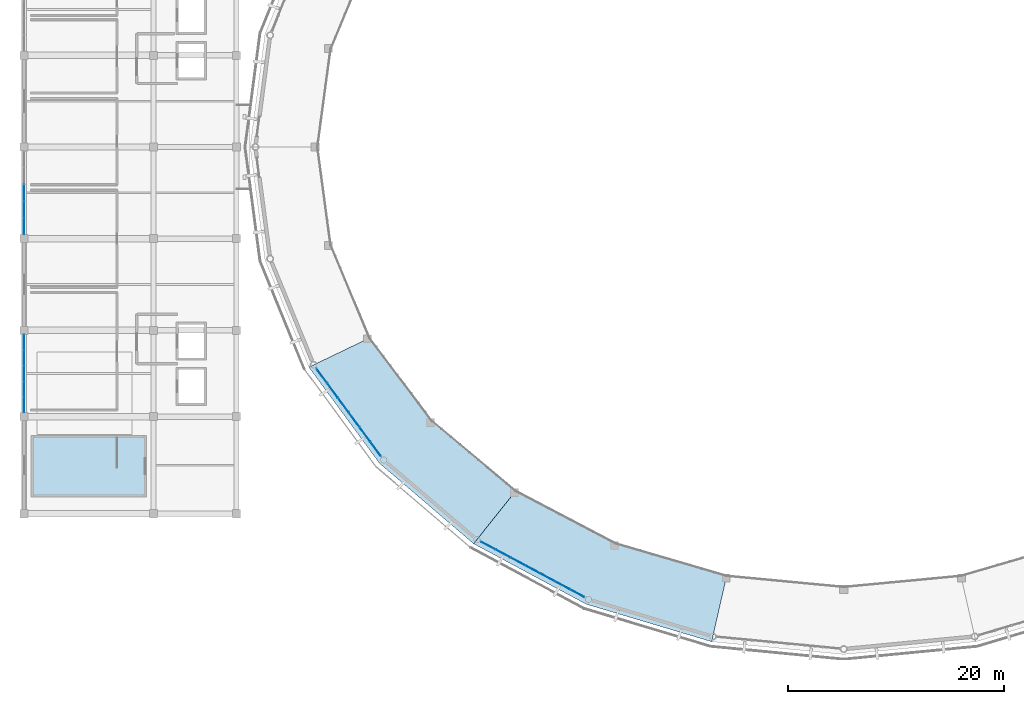
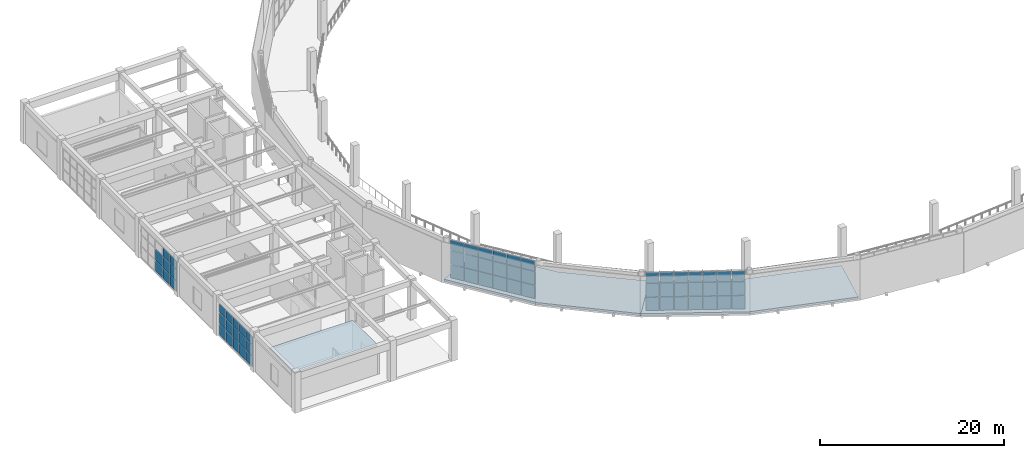
# One storey, part 24 of 40: 62 plates, 3 slabs, 4 elements without a shape of their own.
"""IFC4 building model written with IfcOpenShell, lengths in metres."""

from ifc_helpers import new_model, si_unit, direction, frame, origin, origin_2d, place, context, subcontext, project, spatial, polyline, rectangle, outline, extrude, material, layer, layer_set, type_object, element, aggregate, save


model = new_model("IFC4")

# Units and contexts
model_context = context("Model", 3, precision=1e-05, world=origin(), true_north=direction((0.0, 1.0)))
body_context = subcontext(model_context, "Body", "Model", "MODEL_VIEW")
ifc_project = project(units=[si_unit("LENGTHUNIT", "METRE"), si_unit("AREAUNIT", "SQUARE_METRE"), si_unit("VOLUMEUNIT", "CUBIC_METRE"), si_unit("PLANEANGLEUNIT", "RADIAN"), si_unit("MASSUNIT", "GRAM", prefix="KILO")], contexts=[model_context])

# Site, building, storey
site_placement = place(None, origin())
site = spatial("IfcSite", under=ifc_project, at=site_placement, CompositionType="ELEMENT")
building_placement = place(site_placement, origin())
building = spatial("IfcBuilding", under=site, at=building_placement, Name="Cuetzalor Civic Arena", CompositionType="ELEMENT")
storey_placement = place(building_placement, frame((0.0, 0.0, 26.39990234375)))
storey = spatial("IfcBuildingStorey", under=building, at=storey_placement, Name="L05", CompositionType="ELEMENT", Elevation=26.39990234375)

# Curtain wall, plates
ifc_material_1 = material(Name="Anodised dark bronze aluminium and low-E solar glass", Category="aluminium")
curtain_wall_type_1 = type_object("IfcCurtainWallType", Name="UnitisedCW_10150x5150", PredefinedType="USERDEFINED", material=ifc_material_1)
curtain_wall_1_placement = place(storey_placement, origin())
curtain_wall_1 = element("IfcCurtainWall", 1, at=curtain_wall_1_placement, inside=storey, type_object=curtain_wall_type_1, Name="Drum Triangle Foyer Curtain Wall L05-075", ObjectType="UNITISED CURTAIN WALL", PredefinedType="USERDEFINED")
ifc_material_2 = material(Name="Acoustic laminated solar control glass", Category="glass")
ifc_layer_1 = layer(ifc_material_2, 0.0439453125)
ifc_layer_set_1 = layer_set([ifc_layer_1], Name="Acoustic laminated solar control glass")
plate_type = type_object("IfcPlateType", Name="AcousticTripleGlazedPanel_44", PredefinedType="CURTAIN_PANEL", material=ifc_layer_set_1)
plate_1_placement = place(storey_placement, frame((-43.402587890625, -27.999755859375, 0.0703125), z_axis=(0.0, 0.0, 1.0), x_axis=(-0.59292931222, 0.805254513002, 0.0)))
plate_1 = element("IfcPlate", 2, at=plate_1_placement, type_object=plate_type, Name="CW-18 panel 1.1", PredefinedType="CURTAIN_PANEL", context=body_context, shape_type="SweptSolid", body=[
    extrude(rectangle(XDim=1.585693359375, YDim=0.0439453125, at=origin_2d()), origin(), (0.0, 0.0, 1.0), 1.743896484375),
])
plate_2_placement = place(storey_placement, frame((-43.402587890625, -27.999755859375, 1.88427734375), z_axis=(0.0, 0.0, 1.0), x_axis=(-0.59292931222, 0.805254513002, 0.0)))
plate_2 = element("IfcPlate", 3, at=plate_2_placement, type_object=plate_type, Name="CW-18 panel 1.2", PredefinedType="CURTAIN_PANEL", context=body_context, shape_type="SweptSolid", body=[
    extrude(rectangle(XDim=1.585693359375, YDim=0.0439453125, at=origin_2d()), origin(), (0.0, 0.0, 1.0), 1.779052734375),
])
plate_3_placement = place(storey_placement, frame((-43.402587890625, -27.999755859375, 3.733154296875), z_axis=(0.0, 0.0, 1.0), x_axis=(-0.59292931222, 0.805254513002, 0.0)))
plate_3 = element("IfcPlate", 4, at=plate_3_placement, type_object=plate_type, Name="CW-18 panel 1.3", PredefinedType="CURTAIN_PANEL", context=body_context, shape_type="SweptSolid", body=[
    extrude(rectangle(XDim=1.585693359375, YDim=0.0439453125, at=origin_2d()), origin(), (0.0, 0.0, 1.0), 1.3330078125),
])
plate_4_placement = place(storey_placement, frame((-44.394775390625, -26.652587890625, 0.0703125), z_axis=(0.0, 0.0, 1.0), x_axis=(-0.59292931222, 0.805254513002, 0.0)))
plate_4 = element("IfcPlate", 5, at=plate_4_placement, type_object=plate_type, Name="CW-18 panel 2.1", PredefinedType="CURTAIN_PANEL", context=body_context, shape_type="SweptSolid", body=[
    extrude(rectangle(XDim=1.62060546875, YDim=0.0439453125, at=origin_2d()), origin(), (0.0, 0.0, 1.0), 1.743896484375),
])
plate_5_placement = place(storey_placement, frame((-44.394775390625, -26.652587890625, 1.88427734375), z_axis=(0.0, 0.0, 1.0), x_axis=(-0.59292931222, 0.805254513002, 0.0)))
plate_5 = element("IfcPlate", 6, at=plate_5_placement, type_object=plate_type, Name="CW-18 panel 2.2", PredefinedType="CURTAIN_PANEL", context=body_context, shape_type="SweptSolid", body=[
    extrude(rectangle(XDim=1.62060546875, YDim=0.0439453125, at=origin_2d()), origin(), (0.0, 0.0, 1.0), 1.779052734375),
])
plate_6_placement = place(storey_placement, frame((-44.394775390625, -26.652587890625, 3.733154296875), z_axis=(0.0, 0.0, 1.0), x_axis=(-0.59292931222, 0.805254513002, 0.0)))
plate_6 = element("IfcPlate", 7, at=plate_6_placement, type_object=plate_type, Name="CW-18 panel 2.3", PredefinedType="CURTAIN_PANEL", context=body_context, shape_type="SweptSolid", body=[
    extrude(rectangle(XDim=1.62060546875, YDim=0.0439453125, at=origin_2d()), origin(), (0.0, 0.0, 1.0), 1.3330078125),
])
plate_7_placement = place(storey_placement, frame((-45.397216796875, -25.291015625, 0.0703125), z_axis=(0.0, 0.0, 1.0), x_axis=(-0.59292931222, 0.805254513002, 0.0)))
plate_7 = element("IfcPlate", 8, at=plate_7_placement, type_object=plate_type, Name="CW-18 panel 3.1", PredefinedType="CURTAIN_PANEL", context=body_context, shape_type="SweptSolid", body=[
    extrude(rectangle(XDim=1.62060546875, YDim=0.0439453125, at=origin_2d()), origin(), (0.0, 0.0, 1.0), 1.743896484375),
])
plate_8_placement = place(storey_placement, frame((-45.397216796875, -25.291015625, 1.88427734375), z_axis=(0.0, 0.0, 1.0), x_axis=(-0.59292931222, 0.805254513002, 0.0)))
plate_8 = element("IfcPlate", 9, at=plate_8_placement, type_object=plate_type, Name="CW-18 panel 3.2", PredefinedType="CURTAIN_PANEL", context=body_context, shape_type="SweptSolid", body=[
    extrude(rectangle(XDim=1.62060546875, YDim=0.0439453125, at=origin_2d()), origin(), (0.0, 0.0, 1.0), 1.779052734375),
])
plate_9_placement = place(storey_placement, frame((-45.397216796875, -25.291015625, 3.733154296875), z_axis=(0.0, 0.0, 1.0), x_axis=(-0.59292931222, 0.805254513002, 0.0)))
plate_9 = element("IfcPlate", 10, at=plate_9_placement, type_object=plate_type, Name="CW-18 panel 3.3", PredefinedType="CURTAIN_PANEL", context=body_context, shape_type="SweptSolid", body=[
    extrude(rectangle(XDim=1.62060546875, YDim=0.0439453125, at=origin_2d()), origin(), (0.0, 0.0, 1.0), 1.3330078125),
])
plate_10_placement = place(storey_placement, frame((-46.399658203125, -23.9296875, 0.0703125), z_axis=(0.0, 0.0, 1.0), x_axis=(-0.59292931222, 0.805254513002, 0.0)))
plate_10 = element("IfcPlate", 11, at=plate_10_placement, type_object=plate_type, Name="CW-18 panel 4.1", PredefinedType="CURTAIN_PANEL", context=body_context, shape_type="SweptSolid", body=[
    extrude(rectangle(XDim=1.62060546875, YDim=0.0439453125, at=origin_2d()), origin(), (0.0, 0.0, 1.0), 1.743896484375),
])
plate_11_placement = place(storey_placement, frame((-46.399658203125, -23.9296875, 1.88427734375), z_axis=(0.0, 0.0, 1.0), x_axis=(-0.59292931222, 0.805254513002, 0.0)))
plate_11 = element("IfcPlate", 12, at=plate_11_placement, type_object=plate_type, Name="CW-18 panel 4.2", PredefinedType="CURTAIN_PANEL", context=body_context, shape_type="SweptSolid", body=[
    extrude(rectangle(XDim=1.62060546875, YDim=0.0439453125, at=origin_2d()), origin(), (0.0, 0.0, 1.0), 1.779052734375),
])
plate_12_placement = place(storey_placement, frame((-46.399658203125, -23.9296875, 3.733154296875), z_axis=(0.0, 0.0, 1.0), x_axis=(-0.59292931222, 0.805254513002, 0.0)))
plate_12 = element("IfcPlate", 13, at=plate_12_placement, type_object=plate_type, Name="CW-18 panel 4.3", PredefinedType="CURTAIN_PANEL", context=body_context, shape_type="SweptSolid", body=[
    extrude(rectangle(XDim=1.62060546875, YDim=0.0439453125, at=origin_2d()), origin(), (0.0, 0.0, 1.0), 1.3330078125),
])
plate_13_placement = place(storey_placement, frame((-47.402099609375, -22.568359375, 0.0703125), z_axis=(0.0, 0.0, 1.0), x_axis=(-0.59292931222, 0.805254513002, 0.0)))
plate_13 = element("IfcPlate", 14, at=plate_13_placement, type_object=plate_type, Name="CW-18 panel 5.1", PredefinedType="CURTAIN_PANEL", context=body_context, shape_type="SweptSolid", body=[
    extrude(rectangle(XDim=1.62060546875, YDim=0.0439453125, at=origin_2d()), origin(), (0.0, 0.0, 1.0), 1.743896484375),
])
plate_14_placement = place(storey_placement, frame((-47.402099609375, -22.568359375, 1.88427734375), z_axis=(0.0, 0.0, 1.0), x_axis=(-0.59292931222, 0.805254513002, 0.0)))
plate_14 = element("IfcPlate", 15, at=plate_14_placement, type_object=plate_type, Name="CW-18 panel 5.2", PredefinedType="CURTAIN_PANEL", context=body_context, shape_type="SweptSolid", body=[
    extrude(rectangle(XDim=1.62060546875, YDim=0.0439453125, at=origin_2d()), origin(), (0.0, 0.0, 1.0), 1.779052734375),
])
plate_15_placement = place(storey_placement, frame((-47.402099609375, -22.568359375, 3.733154296875), z_axis=(0.0, 0.0, 1.0), x_axis=(-0.59292931222, 0.805254513002, 0.0)))
plate_15 = element("IfcPlate", 16, at=plate_15_placement, type_object=plate_type, Name="CW-18 panel 5.3", PredefinedType="CURTAIN_PANEL", context=body_context, shape_type="SweptSolid", body=[
    extrude(rectangle(XDim=1.62060546875, YDim=0.0439453125, at=origin_2d()), origin(), (0.0, 0.0, 1.0), 1.3330078125),
])
plate_16_placement = place(storey_placement, frame((-48.39404296875, -21.220947265625, 0.0703125), z_axis=(0.0, 0.0, 1.0), x_axis=(-0.59292931222, 0.805254513002, 0.0)))
plate_16 = element("IfcPlate", 17, at=plate_16_placement, type_object=plate_type, Name="CW-18 panel 6.1", PredefinedType="CURTAIN_PANEL", context=body_context, shape_type="SweptSolid", body=[
    extrude(rectangle(XDim=1.585693359375, YDim=0.0439453125, at=origin_2d()), origin(), (0.0, 0.0, 1.0), 1.743896484375),
])
plate_17_placement = place(storey_placement, frame((-48.39404296875, -21.220947265625, 1.88427734375), z_axis=(0.0, 0.0, 1.0), x_axis=(-0.59292931222, 0.805254513002, 0.0)))
plate_17 = element("IfcPlate", 18, at=plate_17_placement, type_object=plate_type, Name="CW-18 panel 6.2", PredefinedType="CURTAIN_PANEL", context=body_context, shape_type="SweptSolid", body=[
    extrude(rectangle(XDim=1.585693359375, YDim=0.0439453125, at=origin_2d()), origin(), (0.0, 0.0, 1.0), 1.779052734375),
])
plate_18_placement = place(storey_placement, frame((-48.39404296875, -21.220947265625, 3.733154296875), z_axis=(0.0, 0.0, 1.0), x_axis=(-0.59292931222, 0.805254513002, 0.0)))
plate_18 = element("IfcPlate", 19, at=plate_18_placement, type_object=plate_type, Name="CW-18 panel 6.3", PredefinedType="CURTAIN_PANEL", context=body_context, shape_type="SweptSolid", body=[
    extrude(rectangle(XDim=1.585693359375, YDim=0.0439453125, at=origin_2d()), origin(), (0.0, 0.0, 1.0), 1.3330078125),
])
aggregate(curtain_wall_1, [plate_1, plate_2, plate_3, plate_4, plate_5, plate_6, plate_7, plate_8, plate_9, plate_10, plate_11, plate_12, plate_13, plate_14, plate_15, plate_16, plate_17, plate_18])

ifc_material_3 = material(Name="Anodised dark bronze aluminium and low-E solar glass", Category="aluminium")
curtain_wall_type_2 = type_object("IfcCurtainWallType", Name="UnitisedCW_10950x5150", PredefinedType="USERDEFINED", material=ifc_material_3)
curtain_wall_2_placement = place(storey_placement, origin())
curtain_wall_2 = element("IfcCurtainWall", 20, at=curtain_wall_2_placement, inside=storey, type_object=curtain_wall_type_2, Name="Drum Triangle Foyer Curtain Wall L05-076", ObjectType="UNITISED CURTAIN WALL", PredefinedType="USERDEFINED")
plate_19_placement = place(storey_placement, frame((-24.720947265625, -41.375732421875, 0.0703125), z_axis=(0.0, 0.0, 1.0), x_axis=(-0.881306344124, 0.472545371163, 0.0)))
plate_19 = element("IfcPlate", 21, at=plate_19_placement, type_object=plate_type, Name="CW-19 panel 1.1", PredefinedType="CURTAIN_PANEL", context=body_context, shape_type="SweptSolid", body=[
    extrude(rectangle(XDim=1.458740234375, YDim=0.0439453125, at=origin_2d()), origin(), (0.0, 0.0, 1.0), 1.743896484375),
])
plate_20_placement = place(storey_placement, frame((-24.720947265625, -41.375732421875, 1.88427734375), z_axis=(0.0, 0.0, 1.0), x_axis=(-0.881306344124, 0.472545371163, 0.0)))
plate_20 = element("IfcPlate", 22, at=plate_20_placement, type_object=plate_type, Name="CW-19 panel 1.2", PredefinedType="CURTAIN_PANEL", context=body_context, shape_type="SweptSolid", body=[
    extrude(rectangle(XDim=1.458740234375, YDim=0.0439453125, at=origin_2d()), origin(), (0.0, 0.0, 1.0), 1.779052734375),
])
plate_21_placement = place(storey_placement, frame((-24.720947265625, -41.375732421875, 3.733154296875), z_axis=(0.0, 0.0, 1.0), x_axis=(-0.881306344124, 0.472545371163, 0.0)))
plate_21 = element("IfcPlate", 23, at=plate_21_placement, type_object=plate_type, Name="CW-19 panel 1.3", PredefinedType="CURTAIN_PANEL", context=body_context, shape_type="SweptSolid", body=[
    extrude(rectangle(XDim=1.458740234375, YDim=0.0439453125, at=origin_2d()), origin(), (0.0, 0.0, 1.0), 1.3330078125),
])
plate_22_placement = place(storey_placement, frame((-26.08349609375, -40.64501953125, 0.0703125), z_axis=(0.0, 0.0, 1.0), x_axis=(-0.881306344124, 0.472545371163, 0.0)))
plate_22 = element("IfcPlate", 24, at=plate_22_placement, type_object=plate_type, Name="CW-19 panel 2.1", PredefinedType="CURTAIN_PANEL", context=body_context, shape_type="SweptSolid", body=[
    extrude(rectangle(XDim=1.49365234375, YDim=0.0439453125, at=origin_2d()), origin(), (0.0, 0.0, 1.0), 1.743896484375),
])
plate_23_placement = place(storey_placement, frame((-26.08349609375, -40.64501953125, 1.88427734375), z_axis=(0.0, 0.0, 1.0), x_axis=(-0.881306344124, 0.472545371163, 0.0)))
plate_23 = element("IfcPlate", 25, at=plate_23_placement, type_object=plate_type, Name="CW-19 panel 2.2", PredefinedType="CURTAIN_PANEL", context=body_context, shape_type="SweptSolid", body=[
    extrude(rectangle(XDim=1.49365234375, YDim=0.0439453125, at=origin_2d()), origin(), (0.0, 0.0, 1.0), 1.779052734375),
])
plate_24_placement = place(storey_placement, frame((-26.08349609375, -40.64501953125, 3.733154296875), z_axis=(0.0, 0.0, 1.0), x_axis=(-0.881306344124, 0.472545371163, 0.0)))
plate_24 = element("IfcPlate", 26, at=plate_24_placement, type_object=plate_type, Name="CW-19 panel 2.3", PredefinedType="CURTAIN_PANEL", context=body_context, shape_type="SweptSolid", body=[
    extrude(rectangle(XDim=1.49365234375, YDim=0.0439453125, at=origin_2d()), origin(), (0.0, 0.0, 1.0), 1.3330078125),
])
plate_25_placement = place(storey_placement, frame((-27.461669921875, -39.90625, 0.0703125), z_axis=(0.0, 0.0, 1.0), x_axis=(-0.881306344124, 0.472545371163, 0.0)))
plate_25 = element("IfcPlate", 27, at=plate_25_placement, type_object=plate_type, Name="CW-19 panel 3.1", PredefinedType="CURTAIN_PANEL", context=body_context, shape_type="SweptSolid", body=[
    extrude(rectangle(XDim=1.49365234375, YDim=0.0439453125, at=origin_2d()), origin(), (0.0, 0.0, 1.0), 1.743896484375),
])
plate_26_placement = place(storey_placement, frame((-27.461669921875, -39.90625, 1.88427734375), z_axis=(0.0, 0.0, 1.0), x_axis=(-0.881306344124, 0.472545371163, 0.0)))
plate_26 = element("IfcPlate", 28, at=plate_26_placement, type_object=plate_type, Name="CW-19 panel 3.2", PredefinedType="CURTAIN_PANEL", context=body_context, shape_type="SweptSolid", body=[
    extrude(rectangle(XDim=1.49365234375, YDim=0.0439453125, at=origin_2d()), origin(), (0.0, 0.0, 1.0), 1.779052734375),
])
plate_27_placement = place(storey_placement, frame((-27.461669921875, -39.90625, 3.733154296875), z_axis=(0.0, 0.0, 1.0), x_axis=(-0.881306344124, 0.472545371163, 0.0)))
plate_27 = element("IfcPlate", 29, at=plate_27_placement, type_object=plate_type, Name="CW-19 panel 3.3", PredefinedType="CURTAIN_PANEL", context=body_context, shape_type="SweptSolid", body=[
    extrude(rectangle(XDim=1.49365234375, YDim=0.0439453125, at=origin_2d()), origin(), (0.0, 0.0, 1.0), 1.3330078125),
])
plate_28_placement = place(storey_placement, frame((-28.83984375, -39.167236328125, 0.0703125), z_axis=(0.0, 0.0, 1.0), x_axis=(-0.881306344124, 0.472545371163, 0.0)))
plate_28 = element("IfcPlate", 30, at=plate_28_placement, type_object=plate_type, Name="CW-19 panel 4.1", PredefinedType="CURTAIN_PANEL", context=body_context, shape_type="SweptSolid", body=[
    extrude(rectangle(XDim=1.49365234375, YDim=0.0439453125, at=origin_2d()), origin(), (0.0, 0.0, 1.0), 1.743896484375),
])
plate_29_placement = place(storey_placement, frame((-28.83984375, -39.167236328125, 1.88427734375), z_axis=(0.0, 0.0, 1.0), x_axis=(-0.881306344124, 0.472545371163, 0.0)))
plate_29 = element("IfcPlate", 31, at=plate_29_placement, type_object=plate_type, Name="CW-19 panel 4.2", PredefinedType="CURTAIN_PANEL", context=body_context, shape_type="SweptSolid", body=[
    extrude(rectangle(XDim=1.49365234375, YDim=0.0439453125, at=origin_2d()), origin(), (0.0, 0.0, 1.0), 1.779052734375),
])
plate_30_placement = place(storey_placement, frame((-28.83984375, -39.167236328125, 3.733154296875), z_axis=(0.0, 0.0, 1.0), x_axis=(-0.881306344124, 0.472545371163, 0.0)))
plate_30 = element("IfcPlate", 32, at=plate_30_placement, type_object=plate_type, Name="CW-19 panel 4.3", PredefinedType="CURTAIN_PANEL", context=body_context, shape_type="SweptSolid", body=[
    extrude(rectangle(XDim=1.49365234375, YDim=0.0439453125, at=origin_2d()), origin(), (0.0, 0.0, 1.0), 1.3330078125),
])
plate_31_placement = place(storey_placement, frame((-30.218017578125, -38.42822265625, 0.0703125), z_axis=(0.0, 0.0, 1.0), x_axis=(-0.881306344124, 0.472545371163, 0.0)))
plate_31 = element("IfcPlate", 33, at=plate_31_placement, type_object=plate_type, Name="CW-19 panel 5.1", PredefinedType="CURTAIN_PANEL", context=body_context, shape_type="SweptSolid", body=[
    extrude(rectangle(XDim=1.49365234375, YDim=0.0439453125, at=origin_2d()), origin(), (0.0, 0.0, 1.0), 1.743896484375),
])
plate_32_placement = place(storey_placement, frame((-30.218017578125, -38.42822265625, 1.88427734375), z_axis=(0.0, 0.0, 1.0), x_axis=(-0.881306344124, 0.472545371163, 0.0)))
plate_32 = element("IfcPlate", 34, at=plate_32_placement, type_object=plate_type, Name="CW-19 panel 5.2", PredefinedType="CURTAIN_PANEL", context=body_context, shape_type="SweptSolid", body=[
    extrude(rectangle(XDim=1.49365234375, YDim=0.0439453125, at=origin_2d()), origin(), (0.0, 0.0, 1.0), 1.779052734375),
])
plate_33_placement = place(storey_placement, frame((-30.218017578125, -38.42822265625, 3.733154296875), z_axis=(0.0, 0.0, 1.0), x_axis=(-0.881306344124, 0.472545371163, 0.0)))
plate_33 = element("IfcPlate", 35, at=plate_33_placement, type_object=plate_type, Name="CW-19 panel 5.3", PredefinedType="CURTAIN_PANEL", context=body_context, shape_type="SweptSolid", body=[
    extrude(rectangle(XDim=1.49365234375, YDim=0.0439453125, at=origin_2d()), origin(), (0.0, 0.0, 1.0), 1.3330078125),
])
plate_34_placement = place(storey_placement, frame((-31.59619140625, -37.689208984375, 0.0703125), z_axis=(0.0, 0.0, 1.0), x_axis=(-0.881306344124, 0.472545371163, 0.0)))
plate_34 = element("IfcPlate", 36, at=plate_34_placement, type_object=plate_type, Name="CW-19 panel 6.1", PredefinedType="CURTAIN_PANEL", context=body_context, shape_type="SweptSolid", body=[
    extrude(rectangle(XDim=1.49365234375, YDim=0.0439453125, at=origin_2d()), origin(), (0.0, 0.0, 1.0), 1.743896484375),
])
plate_35_placement = place(storey_placement, frame((-31.59619140625, -37.689208984375, 1.88427734375), z_axis=(0.0, 0.0, 1.0), x_axis=(-0.881306344124, 0.472545371163, 0.0)))
plate_35 = element("IfcPlate", 37, at=plate_35_placement, type_object=plate_type, Name="CW-19 panel 6.2", PredefinedType="CURTAIN_PANEL", context=body_context, shape_type="SweptSolid", body=[
    extrude(rectangle(XDim=1.49365234375, YDim=0.0439453125, at=origin_2d()), origin(), (0.0, 0.0, 1.0), 1.779052734375),
])
plate_36_placement = place(storey_placement, frame((-31.59619140625, -37.689208984375, 3.733154296875), z_axis=(0.0, 0.0, 1.0), x_axis=(-0.881306344124, 0.472545371163, 0.0)))
plate_36 = element("IfcPlate", 38, at=plate_36_placement, type_object=plate_type, Name="CW-19 panel 6.3", PredefinedType="CURTAIN_PANEL", context=body_context, shape_type="SweptSolid", body=[
    extrude(rectangle(XDim=1.49365234375, YDim=0.0439453125, at=origin_2d()), origin(), (0.0, 0.0, 1.0), 1.3330078125),
])
plate_37_placement = place(storey_placement, frame((-32.958984375, -36.958740234375, 0.0703125), z_axis=(0.0, 0.0, 1.0), x_axis=(-0.881306344124, 0.472545371163, 0.0)))
plate_37 = element("IfcPlate", 39, at=plate_37_placement, type_object=plate_type, Name="CW-19 panel 7.1", PredefinedType="CURTAIN_PANEL", context=body_context, shape_type="SweptSolid", body=[
    extrude(rectangle(XDim=1.458740234375, YDim=0.0439453125, at=origin_2d()), origin(), (0.0, 0.0, 1.0), 1.743896484375),
])
plate_38_placement = place(storey_placement, frame((-32.958984375, -36.958740234375, 1.88427734375), z_axis=(0.0, 0.0, 1.0), x_axis=(-0.881306344124, 0.472545371163, 0.0)))
plate_38 = element("IfcPlate", 40, at=plate_38_placement, type_object=plate_type, Name="CW-19 panel 7.2", PredefinedType="CURTAIN_PANEL", context=body_context, shape_type="SweptSolid", body=[
    extrude(rectangle(XDim=1.458740234375, YDim=0.0439453125, at=origin_2d()), origin(), (0.0, 0.0, 1.0), 1.779052734375),
])
plate_39_placement = place(storey_placement, frame((-32.958984375, -36.958740234375, 3.733154296875), z_axis=(0.0, 0.0, 1.0), x_axis=(-0.881306344124, 0.472545371163, 0.0)))
plate_39 = element("IfcPlate", 41, at=plate_39_placement, type_object=plate_type, Name="CW-19 panel 7.3", PredefinedType="CURTAIN_PANEL", context=body_context, shape_type="SweptSolid", body=[
    extrude(rectangle(XDim=1.458740234375, YDim=0.0439453125, at=origin_2d()), origin(), (0.0, 0.0, 1.0), 1.3330078125),
])
aggregate(curtain_wall_2, [plate_19, plate_20, plate_21, plate_22, plate_23, plate_24, plate_25, plate_26, plate_27, plate_28, plate_29, plate_30, plate_31, plate_32, plate_33, plate_34, plate_35, plate_36, plate_37, plate_38, plate_39])

ifc_material_4 = material(Name="Anodised dark bronze aluminium and low-E solar glass", Category="aluminium")
curtain_wall_type_3 = type_object("IfcCurtainWallType", Name="UnitisedCW_7300x4200", PredefinedType="USERDEFINED", material=ifc_material_4)
curtain_wall_3_placement = place(storey_placement, origin())
curtain_wall_3 = element("IfcCurtainWall", 42, at=curtain_wall_3_placement, inside=storey, type_object=curtain_wall_type_3, Name="V4W Media Broadcast Curtain Wall L05-127", ObjectType="UNITISED CURTAIN WALL", PredefinedType="USERDEFINED")
plate_40_placement = place(storey_placement, frame((-76.0, -23.898193359375, 0.065185546875), z_axis=(0.0, 0.0, 1.0), x_axis=(0.0, 1.0, 0.0)))
plate_40 = element("IfcPlate", 43, at=plate_40_placement, type_object=plate_type, Name="CW-49 panel 1.1", PredefinedType="CURTAIN_PANEL", context=body_context, shape_type="SweptSolid", body=[
    extrude(rectangle(XDim=1.359619140625, YDim=0.0439453125, at=origin_2d()), origin(), (0.0, 0.0, 1.0), 1.42138671875),
])
plate_41_placement = place(storey_placement, frame((-76.0, -23.898193359375, 1.551513671875), z_axis=(0.0, 0.0, 1.0), x_axis=(0.0, 1.0, 0.0)))
plate_41 = element("IfcPlate", 44, at=plate_41_placement, type_object=plate_type, Name="CW-49 panel 1.2", PredefinedType="CURTAIN_PANEL", context=body_context, shape_type="SweptSolid", body=[
    extrude(rectangle(XDim=1.359619140625, YDim=0.0439453125, at=origin_2d()), origin(), (0.0, 0.0, 1.0), 1.4541015625),
])
plate_42_placement = place(storey_placement, frame((-76.0, -23.898193359375, 3.070556640625), z_axis=(0.0, 0.0, 1.0), x_axis=(0.0, 1.0, 0.0)))
plate_42 = element("IfcPlate", 45, at=plate_42_placement, type_object=plate_type, Name="CW-49 panel 1.3", PredefinedType="CURTAIN_PANEL", context=body_context, shape_type="SweptSolid", body=[
    extrude(rectangle(XDim=1.359619140625, YDim=0.0439453125, at=origin_2d()), origin(), (0.0, 0.0, 1.0), 1.08447265625),
])
plate_43_placement = place(storey_placement, frame((-76.0, -22.457275390625, 0.065185546875), z_axis=(0.0, 0.0, 1.0), x_axis=(0.0, 1.0, 0.0)))
plate_43 = element("IfcPlate", 46, at=plate_43_placement, type_object=plate_type, Name="CW-49 panel 2.1", PredefinedType="CURTAIN_PANEL", context=body_context, shape_type="SweptSolid", body=[
    extrude(rectangle(XDim=1.39208984375, YDim=0.0439453125, at=origin_2d()), origin(), (0.0, 0.0, 1.0), 1.42138671875),
])
plate_44_placement = place(storey_placement, frame((-76.0, -22.457275390625, 1.551513671875), z_axis=(0.0, 0.0, 1.0), x_axis=(0.0, 1.0, 0.0)))
plate_44 = element("IfcPlate", 47, at=plate_44_placement, type_object=plate_type, Name="CW-49 panel 2.2", PredefinedType="CURTAIN_PANEL", context=body_context, shape_type="SweptSolid", body=[
    extrude(rectangle(XDim=1.39208984375, YDim=0.0439453125, at=origin_2d()), origin(), (0.0, 0.0, 1.0), 1.4541015625),
])
plate_45_placement = place(storey_placement, frame((-76.0, -22.457275390625, 3.070556640625), z_axis=(0.0, 0.0, 1.0), x_axis=(0.0, 1.0, 0.0)))
plate_45 = element("IfcPlate", 48, at=plate_45_placement, type_object=plate_type, Name="CW-49 panel 2.3", PredefinedType="CURTAIN_PANEL", context=body_context, shape_type="SweptSolid", body=[
    extrude(rectangle(XDim=1.39208984375, YDim=0.0439453125, at=origin_2d()), origin(), (0.0, 0.0, 1.0), 1.08447265625),
])
plate_46_placement = place(storey_placement, frame((-76.0, -21.0, 0.065185546875), z_axis=(0.0, 0.0, 1.0), x_axis=(0.0, 1.0, 0.0)))
plate_46 = element("IfcPlate", 49, at=plate_46_placement, type_object=plate_type, Name="CW-49 panel 3.1", PredefinedType="CURTAIN_PANEL", context=body_context, shape_type="SweptSolid", body=[
    extrude(rectangle(XDim=1.39208984375, YDim=0.0439453125, at=origin_2d()), origin(), (0.0, 0.0, 1.0), 1.42138671875),
])
plate_47_placement = place(storey_placement, frame((-76.0, -21.0, 1.551513671875), z_axis=(0.0, 0.0, 1.0), x_axis=(0.0, 1.0, 0.0)))
plate_47 = element("IfcPlate", 50, at=plate_47_placement, type_object=plate_type, Name="CW-49 panel 3.2", PredefinedType="CURTAIN_PANEL", context=body_context, shape_type="SweptSolid", body=[
    extrude(rectangle(XDim=1.39208984375, YDim=0.0439453125, at=origin_2d()), origin(), (0.0, 0.0, 1.0), 1.4541015625),
])
plate_48_placement = place(storey_placement, frame((-76.0, -21.0, 3.070556640625), z_axis=(0.0, 0.0, 1.0), x_axis=(0.0, 1.0, 0.0)))
plate_48 = element("IfcPlate", 51, at=plate_48_placement, type_object=plate_type, Name="CW-49 panel 3.3", PredefinedType="CURTAIN_PANEL", context=body_context, shape_type="SweptSolid", body=[
    extrude(rectangle(XDim=1.39208984375, YDim=0.0439453125, at=origin_2d()), origin(), (0.0, 0.0, 1.0), 1.08447265625),
])
plate_49_placement = place(storey_placement, frame((-76.0, -19.542724609375, 0.065185546875), z_axis=(0.0, 0.0, 1.0), x_axis=(0.0, 1.0, 0.0)))
plate_49 = element("IfcPlate", 52, at=plate_49_placement, type_object=plate_type, Name="CW-49 panel 4.1", PredefinedType="CURTAIN_PANEL", context=body_context, shape_type="SweptSolid", body=[
    extrude(rectangle(XDim=1.39208984375, YDim=0.0439453125, at=origin_2d()), origin(), (0.0, 0.0, 1.0), 1.42138671875),
])
plate_50_placement = place(storey_placement, frame((-76.0, -19.542724609375, 1.551513671875), z_axis=(0.0, 0.0, 1.0), x_axis=(0.0, 1.0, 0.0)))
plate_50 = element("IfcPlate", 53, at=plate_50_placement, type_object=plate_type, Name="CW-49 panel 4.2", PredefinedType="CURTAIN_PANEL", context=body_context, shape_type="SweptSolid", body=[
    extrude(rectangle(XDim=1.39208984375, YDim=0.0439453125, at=origin_2d()), origin(), (0.0, 0.0, 1.0), 1.4541015625),
])
plate_51_placement = place(storey_placement, frame((-76.0, -19.542724609375, 3.070556640625), z_axis=(0.0, 0.0, 1.0), x_axis=(0.0, 1.0, 0.0)))
plate_51 = element("IfcPlate", 54, at=plate_51_placement, type_object=plate_type, Name="CW-49 panel 4.3", PredefinedType="CURTAIN_PANEL", context=body_context, shape_type="SweptSolid", body=[
    extrude(rectangle(XDim=1.39208984375, YDim=0.0439453125, at=origin_2d()), origin(), (0.0, 0.0, 1.0), 1.08447265625),
])
plate_52_placement = place(storey_placement, frame((-76.0, -18.101806640625, 0.065185546875), z_axis=(0.0, 0.0, 1.0), x_axis=(0.0, 1.0, 0.0)))
plate_52 = element("IfcPlate", 55, at=plate_52_placement, type_object=plate_type, Name="CW-49 panel 5.1", PredefinedType="CURTAIN_PANEL", context=body_context, shape_type="SweptSolid", body=[
    extrude(rectangle(XDim=1.359619140625, YDim=0.0439453125, at=origin_2d()), origin(), (0.0, 0.0, 1.0), 1.42138671875),
])
plate_53_placement = place(storey_placement, frame((-76.0, -18.101806640625, 1.551513671875), z_axis=(0.0, 0.0, 1.0), x_axis=(0.0, 1.0, 0.0)))
plate_53 = element("IfcPlate", 56, at=plate_53_placement, type_object=plate_type, Name="CW-49 panel 5.2", PredefinedType="CURTAIN_PANEL", context=body_context, shape_type="SweptSolid", body=[
    extrude(rectangle(XDim=1.359619140625, YDim=0.0439453125, at=origin_2d()), origin(), (0.0, 0.0, 1.0), 1.4541015625),
])
plate_54_placement = place(storey_placement, frame((-76.0, -18.101806640625, 3.070556640625), z_axis=(0.0, 0.0, 1.0), x_axis=(0.0, 1.0, 0.0)))
plate_54 = element("IfcPlate", 57, at=plate_54_placement, type_object=plate_type, Name="CW-49 panel 5.3", PredefinedType="CURTAIN_PANEL", context=body_context, shape_type="SweptSolid", body=[
    extrude(rectangle(XDim=1.359619140625, YDim=0.0439453125, at=origin_2d()), origin(), (0.0, 0.0, 1.0), 1.08447265625),
])
aggregate(curtain_wall_3, [plate_40, plate_41, plate_42, plate_43, plate_44, plate_45, plate_46, plate_47, plate_48, plate_49, plate_50, plate_51, plate_52, plate_53, plate_54])

ifc_material_5 = material(Name="Anodised dark bronze aluminium and low-E solar glass", Category="aluminium")
curtain_wall_type_4 = type_object("IfcCurtainWallType", Name="UnitisedCW_7800x4200", PredefinedType="USERDEFINED", material=ifc_material_5)
curtain_wall_4_placement = place(storey_placement, origin())
curtain_wall_4 = element("IfcCurtainWall", 58, at=curtain_wall_4_placement, inside=storey, type_object=curtain_wall_type_4, Name="V4W Media Broadcast Curtain Wall L05-128", ObjectType="UNITISED CURTAIN WALL", PredefinedType="USERDEFINED")
plate_55_placement = place(storey_placement, frame((-76.0, -7.34814453125, 0.065185546875), z_axis=(0.0, 0.0, 1.0), x_axis=(0.0, 1.0, 0.0)))
plate_55 = element("IfcPlate", 59, at=plate_55_placement, type_object=plate_type, Name="CW-50 panel 1.1", PredefinedType="CURTAIN_PANEL", context=body_context, shape_type="SweptSolid", body=[
    extrude(rectangle(XDim=1.459716796875, YDim=0.0439453125, at=origin_2d()), origin(), (0.0, 0.0, 1.0), 1.42138671875),
])
plate_56_placement = place(storey_placement, frame((-76.0, -7.34814453125, 1.551513671875), z_axis=(0.0, 0.0, 1.0), x_axis=(0.0, 1.0, 0.0)))
plate_56 = element("IfcPlate", 60, at=plate_56_placement, type_object=plate_type, Name="CW-50 panel 1.2", PredefinedType="CURTAIN_PANEL", context=body_context, shape_type="SweptSolid", body=[
    extrude(rectangle(XDim=1.459716796875, YDim=0.0439453125, at=origin_2d()), origin(), (0.0, 0.0, 1.0), 1.4541015625),
])
plate_57_placement = place(storey_placement, frame((-76.0, -7.34814453125, 3.070556640625), z_axis=(0.0, 0.0, 1.0), x_axis=(0.0, 1.0, 0.0)))
plate_57 = element("IfcPlate", 61, at=plate_57_placement, type_object=plate_type, Name="CW-50 panel 1.3", PredefinedType="CURTAIN_PANEL", context=body_context, shape_type="SweptSolid", body=[
    extrude(rectangle(XDim=1.459716796875, YDim=0.0439453125, at=origin_2d()), origin(), (0.0, 0.0, 1.0), 1.08447265625),
])
plate_58_placement = place(storey_placement, frame((-76.0, -5.80712890625, 0.065185546875), z_axis=(0.0, 0.0, 1.0), x_axis=(0.0, 1.0, 0.0)))
plate_58 = element("IfcPlate", 62, at=plate_58_placement, type_object=plate_type, Name="CW-50 panel 2.1", PredefinedType="CURTAIN_PANEL", context=body_context, shape_type="SweptSolid", body=[
    extrude(rectangle(XDim=1.4921875, YDim=0.0439453125, at=origin_2d()), origin(), (0.0, 0.0, 1.0), 1.42138671875),
])
plate_59_placement = place(storey_placement, frame((-76.0, -5.80712890625, 1.551513671875), z_axis=(0.0, 0.0, 1.0), x_axis=(0.0, 1.0, 0.0)))
plate_59 = element("IfcPlate", 63, at=plate_59_placement, type_object=plate_type, Name="CW-50 panel 2.2", PredefinedType="CURTAIN_PANEL", context=body_context, shape_type="SweptSolid", body=[
    extrude(rectangle(XDim=1.4921875, YDim=0.0439453125, at=origin_2d()), origin(), (0.0, 0.0, 1.0), 1.4541015625),
])
plate_60_placement = place(storey_placement, frame((-76.0, -5.80712890625, 3.070556640625), z_axis=(0.0, 0.0, 1.0), x_axis=(0.0, 1.0, 0.0)))
plate_60 = element("IfcPlate", 64, at=plate_60_placement, type_object=plate_type, Name="CW-50 panel 2.3", PredefinedType="CURTAIN_PANEL", context=body_context, shape_type="SweptSolid", body=[
    extrude(rectangle(XDim=1.4921875, YDim=0.0439453125, at=origin_2d()), origin(), (0.0, 0.0, 1.0), 1.08447265625),
])
plate_61_placement = place(storey_placement, frame((-76.0, -4.25, 0.065185546875), z_axis=(0.0, 0.0, 1.0), x_axis=(0.0, 1.0, 0.0)))
plate_61 = element("IfcPlate", 65, at=plate_61_placement, type_object=plate_type, Name="CW-50 panel 3.1", PredefinedType="CURTAIN_PANEL", context=body_context, shape_type="SweptSolid", body=[
    extrude(rectangle(XDim=1.4921875, YDim=0.0439453125, at=origin_2d()), origin(), (0.0, 0.0, 1.0), 1.42138671875),
])
plate_62_placement = place(storey_placement, frame((-76.0, -4.25, 1.551513671875), z_axis=(0.0, 0.0, 1.0), x_axis=(0.0, 1.0, 0.0)))
plate_62 = element("IfcPlate", 66, at=plate_62_placement, type_object=plate_type, Name="CW-50 panel 3.2", PredefinedType="CURTAIN_PANEL", context=body_context, shape_type="SweptSolid", body=[
    extrude(rectangle(XDim=1.4921875, YDim=0.0439453125, at=origin_2d()), origin(), (0.0, 0.0, 1.0), 1.4541015625),
])
aggregate(curtain_wall_4, [plate_55, plate_56, plate_57, plate_58, plate_59, plate_60, plate_61, plate_62])

# Slabs
ifc_material_6 = material(Name="Concrete C40/50", Category="concrete")
ifc_layer_2 = layer(ifc_material_6, 0.219970703125)
ifc_layer_set_2 = layer_set([ifc_layer_2], Name="Concrete C40/50")
slab_type_1 = type_object("IfcSlabType", Name="LiftShaftRoofCapSlab_220", PredefinedType="ROOF", material=ifc_layer_set_2)
slab_1_placement = place(storey_placement, frame((0.0, 0.0, 3.60009765625)))
element("IfcSlab", 67, at=slab_1_placement, inside=storey, type_object=slab_type_1, Name="Stair Core Enclosure Cap Slab ST-16", PredefinedType="ROOF", context=body_context, shape_type="SweptSolid", body=[
    extrude(outline(polyline([(-75.219970703125, -32.320068359375), (-64.780029296875, -32.320068359375), (-64.780029296875, -26.8798828125), (-75.219970703125, -26.8798828125), (-75.219970703125, -32.320068359375)])), origin(), (0.0, 0.0, 1.0), 0.219970703125),
])
ifc_material_7 = material(Name="Concrete C35/45", Category="concrete")
ifc_layer_3 = layer(ifc_material_7, 0.280029296875)
ifc_layer_set_3 = layer_set([ifc_layer_3], Name="Concrete C35/45")
slab_type_2 = type_object("IfcSlabType", Name="SuspendedFloorSlab_280", PredefinedType="FLOOR", material=ifc_layer_set_3)
slab_2_placement = place(storey_placement, frame((0.0, 0.0, -0.27978515625)))
element("IfcSlab", 68, at=slab_2_placement, inside=storey, type_object=slab_type_2, Name="Arena Concourse Sector Slab L05-09", PredefinedType="FLOOR", context=body_context, shape_type="SweptSolid", body=[
    extrude(outline(polyline([(-43.96728515625, -17.702392578125), (-38.1533203125, -25.4384765625), (-30.42626953125, -31.898681640625), (-34.322998046875, -36.78515625), (-43.039794921875, -29.335205078125), (-49.598388671875, -20.414306640625), (-43.96728515625, -17.702392578125)])), origin(), (0.0, 0.0, 1.0), 0.27978515625),
])
slab_3_placement = place(storey_placement, frame((0.0, 0.0, -0.27978515625)))
element("IfcSlab", 69, at=slab_3_placement, inside=storey, type_object=slab_type_2, Name="Arena Concourse Sector Slab L05-10", PredefinedType="FLOOR", context=body_context, shape_type="SweptSolid", body=[
    extrude(outline(polyline([(-30.42626953125, -31.898681640625), (-21.173583984375, -36.759521484375), (-10.85888671875, -39.777099609375), (-12.249755859375, -45.870361328125), (-23.88525390625, -42.390625), (-34.322998046875, -36.78515625), (-30.42626953125, -31.898681640625)])), origin(), (0.0, 0.0, 1.0), 0.27978515625),
])

save(model, "model.ifc")
